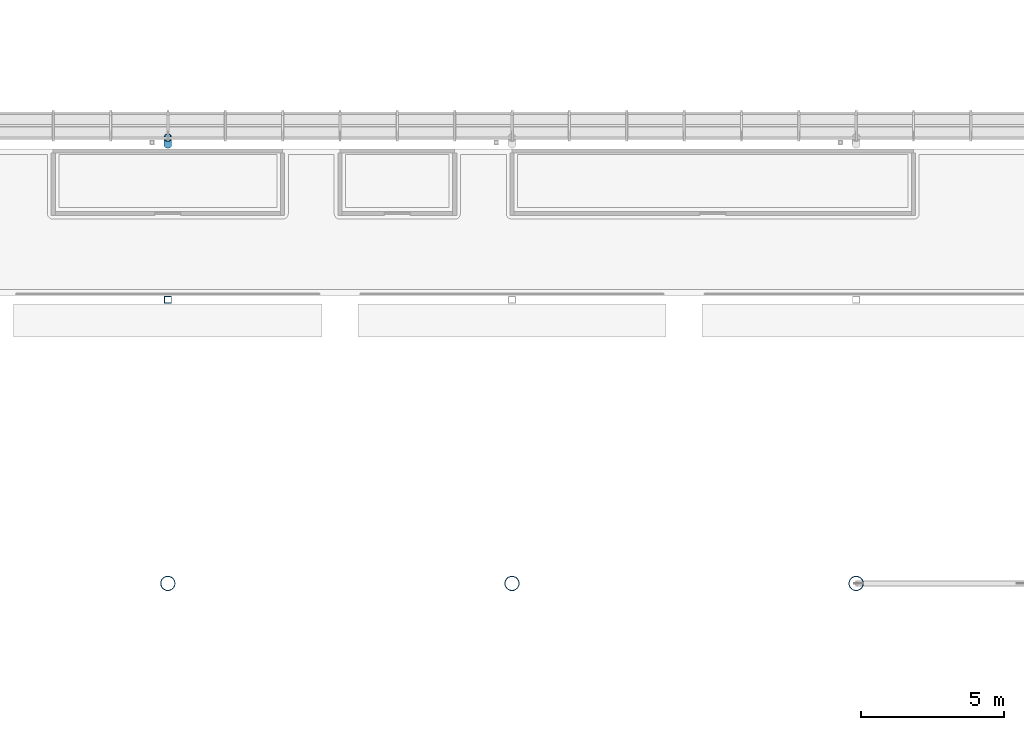
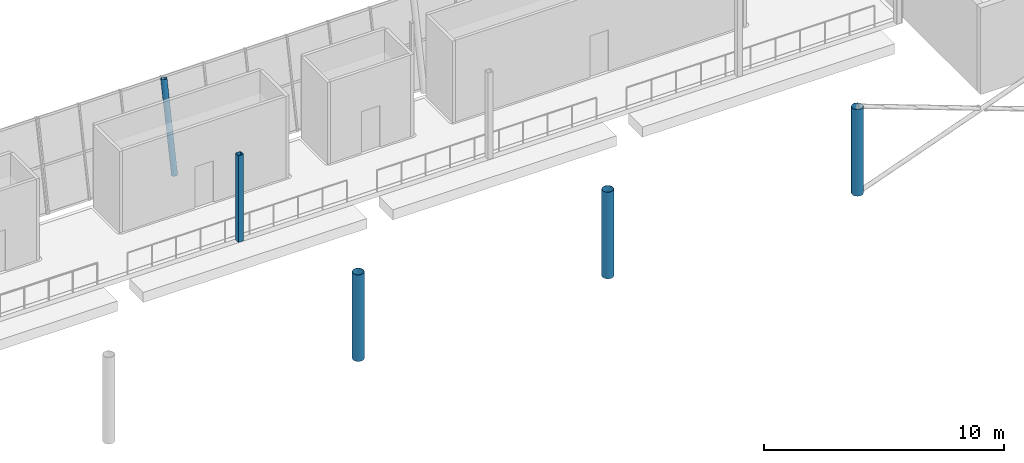
# One storey, part 16 of 115: 5 columns.
"""IFC4 building model written with IfcOpenShell, lengths in metres."""

from ifc_helpers import new_model, si_unit, direction, frame, origin, origin_2d, place, context, subcontext, project, spatial, hollow_rectangle, hollow_circle, extrude, material, material_profile, profile_set, type_object, element, save


model = new_model("IFC4")

# Units and contexts
model_context = context("Model", 3, precision=1e-05, world=origin(), true_north=direction((0.0, 1.0)))
body_context = subcontext(model_context, "Body", "Model", "MODEL_VIEW")
ifc_project = project(units=[si_unit("LENGTHUNIT", "METRE"), si_unit("AREAUNIT", "SQUARE_METRE"), si_unit("VOLUMEUNIT", "CUBIC_METRE"), si_unit("PLANEANGLEUNIT", "RADIAN"), si_unit("MASSUNIT", "GRAM", prefix="KILO")], contexts=[model_context])

# Site, building, storey
site_placement = place(None, origin())
site = spatial("IfcSite", under=ifc_project, at=site_placement, CompositionType="ELEMENT")
building_placement = place(site_placement, origin())
building = spatial("IfcBuilding", under=site, at=building_placement, Name="Windward Yard Aquatics Centre", CompositionType="ELEMENT")
storey_placement = place(building_placement, frame((0.0, 0.0, 5.0)))
storey = spatial("IfcBuildingStorey", under=building, at=storey_placement, Name="L01", CompositionType="ELEMENT", Elevation=5.0)

# Columns
ifc_material = material(Name="Steel ASTM A500 Gr C", Category="steel")
ifc_material_profile_1 = material_profile(ifc_material, hollow_circle(Radius=0.25390625, WallThickness=0.015869140625, at=origin_2d()), Name="HSS508X15.9")
ifc_profile_set_1 = profile_set([ifc_material_profile_1], Name="Steel ASTM A500 Gr C")
column_type_1 = type_object("IfcColumnType", Name="H arch column HSS508X15.9", PredefinedType="COLUMN", material=ifc_profile_set_1)
for number, where, z_axis, x_axis, name in (
    (1, (108.0, 80.39990234375, 0.0), (0.0, 0.0, 1.0), (1.0, 0.0, 0.0), "H.AC.N5.L01"),
    (2, (120.0, 80.39990234375, 0.0), (0.0, 0.0, 1.0), (1.0, 0.0, 0.0), "H.AC.N6.L01"),
    (3, (132.0, 80.39990234375, 0.0), (0.0, 0.0, 1.0), (1.0, 0.0, 0.0), "H.AC.N7.L01"),
):
    element("IfcColumn", number, at=place(storey_placement, frame(where, z_axis=z_axis, x_axis=x_axis)), inside=storey, type_object=column_type_1, Name=name, PredefinedType="COLUMN", context=body_context, shape_type="SweptSolid", body=[
        extrude(hollow_circle(Radius=0.25390625, WallThickness=0.015869140625, at=origin_2d()), origin(), (0.0, 0.0, 1.0), 4.39990234375),
    ])
ifc_material_profile_2 = material_profile(ifc_material, hollow_rectangle(XDim=0.25390625, YDim=0.25390625, WallThickness=0.015869140625, InnerFilletRadius=0.008056640625, OuterFilletRadius=0.02392578125, at=origin_2d()), Name="HSS254X254X15.9")
ifc_profile_set_2 = profile_set([ifc_material_profile_2], Name="Steel ASTM A500 Gr C")
column_type_2 = type_object("IfcColumnType", Name="H inner column HSS254X254X15.9", PredefinedType="COLUMN", material=ifc_profile_set_2)
column_1_placement = place(storey_placement, frame((108.0, 90.290283203125, 0.0), z_axis=(0.0, 0.0, 1.0), x_axis=(1.0, 0.0, 0.0)))
element("IfcColumn", 4, at=column_1_placement, inside=storey, type_object=column_type_2, Name="H.IC.N5.L01", PredefinedType="COLUMN", context=body_context, shape_type="SweptSolid", body=[
    extrude(hollow_rectangle(XDim=0.25390625, YDim=0.25390625, WallThickness=0.015869140625, InnerFilletRadius=0.008056640625, OuterFilletRadius=0.02392578125, at=origin_2d()), origin(), (0.0, 0.0, 1.0), 4.39990234375),
])
ifc_material_profile_3 = material_profile(ifc_material, hollow_circle(Radius=0.136474609375, WallThickness=0.0126953125, at=origin_2d()), Name="HSS273.1X12.7")
ifc_profile_set_3 = profile_set([ifc_material_profile_3], Name="Steel ASTM A500 Gr C")
column_type_3 = type_object("IfcColumnType", Name="H tier 1 leg HSS273.1X12.7", PredefinedType="COLUMN", material=ifc_profile_set_3)
column_2_placement = place(storey_placement, frame((108.0, 95.70556640625, 0.02734375), z_axis=(0.0, 0.19937683017, 0.979922894717), x_axis=(-1.0, 0.0, 0.0)))
element("IfcColumn", 5, at=column_2_placement, inside=storey, type_object=column_type_3, Name="H.TL.N5.T1A.L01", PredefinedType="COLUMN", context=body_context, shape_type="SweptSolid", body=[
    extrude(hollow_circle(Radius=0.136474609375, WallThickness=0.0126953125, at=origin_2d()), origin(), (0.0, 0.0, 1.0), 4.462158203125),
])

save(model, "model.ifc")
